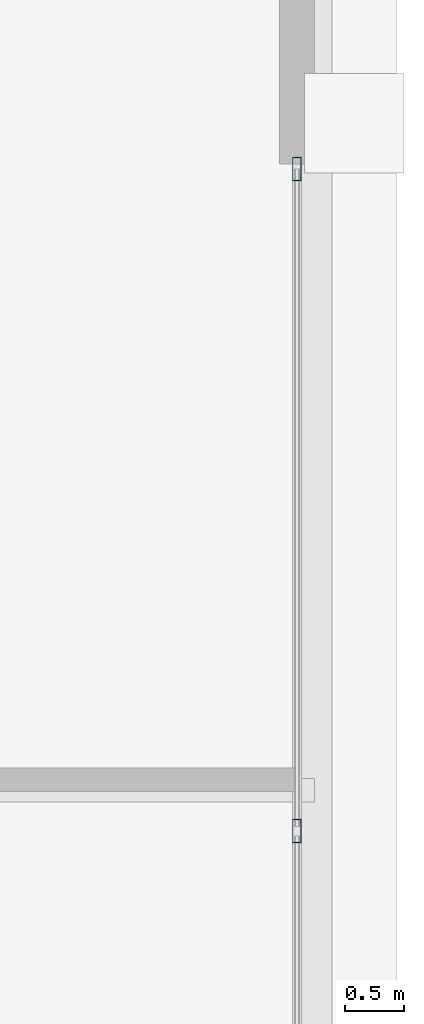
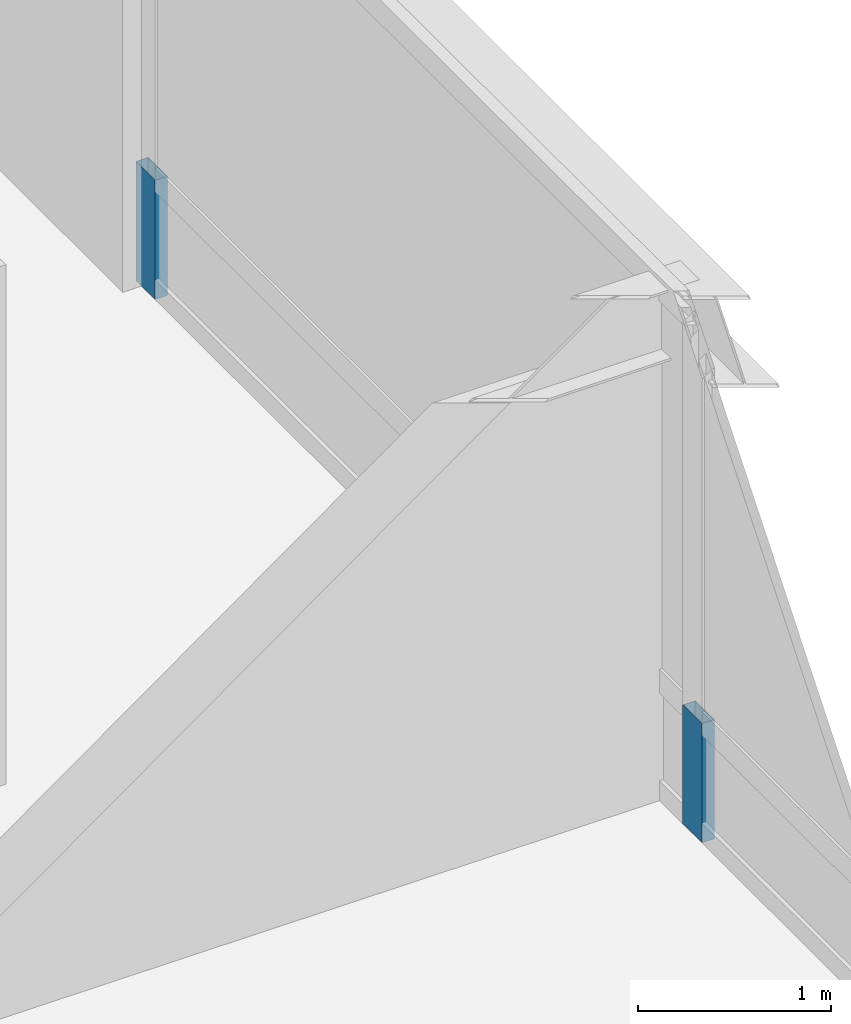
# One storey, part 26 of 34: 2 members, 1 element without a shape of its own.
"""IFC4 building model written with IfcOpenShell, lengths in metres."""

import ifcopenshell
import ifcopenshell.guid

model = None  # the IFC model being written
_history = None  # IfcOwnerHistory: only IFC2X3 demands one
_inside = {}  # id of a spatial element -> (the spatial element, [elements in it])
_under = {}  # id of a project, library or spatial element -> (it, [spatial elements below it])
_declared = {}  # id of a project -> (the project, [libraries it declares])
_typed = {}  # id of a type object -> (the type object, [elements of that type])
_made_of = {}  # id of a material, layer set ... -> (it, [elements and type objects made of it])


def new_model(schema):
    """Start an empty IFC model of exactly this schema.

    Asked for "IFC4X3", IfcOpenShell would pick the latest addendum, in which some entities
    have other attributes; the version numbers below select the first issue.
    IFC2X3 requires an IfcOwnerHistory on every rooted entity: one is made here for all.
    """
    global model, _history
    if schema == "IFC4X3":
        model = ifcopenshell.file(schema_version=(4, 3, 0, 0))
    else:
        model = ifcopenshell.file(schema=schema)
    _inside.clear()
    _under.clear()
    _declared.clear()
    _typed.clear()
    _made_of.clear()
    _history = None
    if model.schema == "IFC2X3":
        org = make("IfcOrganization", Name="unknown")
        user = make(
            "IfcPersonAndOrganization",
            ThePerson=make("IfcPerson", FamilyName="unknown"),
            TheOrganization=org,
        )
        app = make(
            "IfcApplication",
            ApplicationDeveloper=org,
            Version="unknown",
            ApplicationFullName="unknown",
            ApplicationIdentifier="unknown",
        )
        _history = make(
            "IfcOwnerHistory",
            OwningUser=user,
            OwningApplication=app,
            ChangeAction="ADDED",
            CreationDate=0,
        )
    return model


def make(cls, **values):
    """One entity of the class cls with the attributes given. An attribute that is None is left unset."""
    return model.create_entity(
        cls, **{name: value for name, value in values.items() if value is not None}
    )


def rooted(cls, **values):
    """An entity with a GlobalId (a new one), such as an element, a storey or a relation."""
    return make(cls, GlobalId=ifcopenshell.guid.new(), OwnerHistory=_history, **values)


def si_unit(unit_type, name, prefix=None):
    """IfcSIUnit, for example si_unit("LENGTHUNIT", "METRE", prefix="MILLI")."""
    return make("IfcSIUnit", UnitType=unit_type, Prefix=prefix, Name=name)


def assignment(units):
    """IfcUnitAssignment: the units of a project."""
    return None if units is None else make("IfcUnitAssignment", Units=units)


def point(xyz):
    """IfcCartesianPoint."""
    return None if xyz is None else make("IfcCartesianPoint", Coordinates=xyz)


def direction(xyz):
    """IfcDirection."""
    return None if xyz is None else make("IfcDirection", DirectionRatios=xyz)


def frame(location, z_axis=None, x_axis=None):
    """IfcAxis2Placement3D, a coordinate frame: its origin and axes. An axis left out is left unset."""
    return make(
        "IfcAxis2Placement3D",
        Location=point(location),
        Axis=direction(z_axis),
        RefDirection=direction(x_axis),
    )


def frame_2d(location, x_axis=None):
    """IfcAxis2Placement2D, a coordinate frame in the plane: its origin and x axis."""
    return make(
        "IfcAxis2Placement2D", Location=point(location), RefDirection=direction(x_axis)
    )


def origin():
    """The frame at (0, 0, 0) with its axes left unset."""
    return frame((0.0, 0.0, 0.0))


def origin_2d():
    """The frame at (0, 0) in the plane with its x axis left unset."""
    return frame_2d((0.0, 0.0))


def place(relative_to, where):
    """IfcLocalPlacement: puts the frame where relative to a parent placement (None: the world)."""
    return make(
        "IfcLocalPlacement", PlacementRelTo=relative_to, RelativePlacement=where
    )


def context(
    kind, dimensions, precision=None, world=None, true_north=None, identifier=None
):
    """IfcGeometricRepresentationContext, for example the 3D "Model" context."""
    return make(
        "IfcGeometricRepresentationContext",
        ContextIdentifier=identifier,
        ContextType=kind,
        CoordinateSpaceDimension=dimensions,
        Precision=precision,
        WorldCoordinateSystem=world,
        TrueNorth=true_north,
    )


def subcontext(parent, identifier, kind, view, scale=None):
    """IfcGeometricRepresentationSubContext, for example "Body" below "Model"."""
    return make(
        "IfcGeometricRepresentationSubContext",
        ContextIdentifier=identifier,
        ContextType=kind,
        ParentContext=parent,
        TargetScale=scale,
        TargetView=view,
    )


def project(units=None, contexts=None):
    """IfcProject with its units and contexts."""
    return rooted(
        "IfcProject",
        Name="project",
        RepresentationContexts=contexts,
        UnitsInContext=assignment(units),
    )


def spatial(cls, under=None, at=None, **own):
    """A site, building, storey or space (cls), placed at a placement, below another one or the project."""
    s = rooted(cls, ObjectPlacement=at, **own)
    if under is not None:
        _under.setdefault(under.id(), (under, []))[1].append(s)
    return s


def profile(cls, at=None, kind="AREA", **sizes):
    """A parametric profile (cls). Its sizes go by their IFC names, for example OverallWidth=200.0."""
    return make(cls, ProfileType=kind, Position=at, **sizes)


def hollow_rectangle(**sizes):
    """IfcRectangleHollowProfileDef."""
    return profile("IfcRectangleHollowProfileDef", **sizes)


def extrude(swept, where, along, depth):
    """IfcExtrudedAreaSolid: the profile swept, set in the frame where, extruded along a direction by depth."""
    return make(
        "IfcExtrudedAreaSolid",
        SweptArea=swept,
        Position=where,
        ExtrudedDirection=direction(along),
        Depth=depth,
    )


def shape(context_of_items, identifier, shape_type, items):
    """IfcShapeRepresentation: the items that make up one representation, for example the "Body"."""
    return make(
        "IfcShapeRepresentation",
        ContextOfItems=context_of_items,
        RepresentationIdentifier=identifier,
        RepresentationType=shape_type,
        Items=items,
    )


def source(mapping_origin, context_of_items, identifier, shape_type, items):
    """IfcRepresentationMap: a shape defined once, which mapped items show again and again."""
    return make(
        "IfcRepresentationMap",
        MappingOrigin=mapping_origin,
        MappedRepresentation=shape(context_of_items, identifier, shape_type, items),
    )


def transform(
    local_origin,
    x_axis=None,
    y_axis=None,
    z_axis=None,
    scale=None,
    scale2=None,
    scale3=None,
    uniform=True,
):
    """IfcCartesianTransformationOperator3D, or its non-uniform kind. x_axis, y_axis, z_axis: its Axis1, 2, 3."""
    if uniform:
        return make(
            "IfcCartesianTransformationOperator3D",
            Axis1=direction(x_axis),
            Axis2=direction(y_axis),
            LocalOrigin=point(local_origin),
            Scale=scale,
            Axis3=direction(z_axis),
        )
    return make(
        "IfcCartesianTransformationOperator3DnonUniform",
        Axis1=direction(x_axis),
        Axis2=direction(y_axis),
        LocalOrigin=point(local_origin),
        Scale=scale,
        Axis3=direction(z_axis),
        Scale2=scale2,
        Scale3=scale3,
    )


def mapped(mapping_source, mapping_target):
    """IfcMappedItem: shows the shape of a source again, moved by a transform."""
    return make(
        "IfcMappedItem", MappingSource=mapping_source, MappingTarget=mapping_target
    )


def material(Name=None, Category=None):
    """IfcMaterial."""
    return make("IfcMaterial", Name=Name, Category=Category)


def layer(
    of_material, thickness, ventilated=None, Name=None, Category=None, Priority=None
):
    """IfcMaterialLayer: one layer of a wall or slab, of a material (None: an air gap)."""
    return make(
        "IfcMaterialLayer",
        Material=of_material,
        LayerThickness=thickness,
        IsVentilated=ventilated,
        Name=Name,
        Category=Category,
        Priority=Priority,
    )


def layer_set(layers, Name=None):
    """IfcMaterialLayerSet."""
    return make("IfcMaterialLayerSet", MaterialLayers=layers, LayerSetName=Name)


def material_profile(
    of_material, cross_section, Name=None, Category=None, Priority=None
):
    """IfcMaterialProfile: a cross section and its material."""
    return make(
        "IfcMaterialProfile",
        Name=Name,
        Material=of_material,
        Profile=cross_section,
        Priority=Priority,
        Category=Category,
    )


def profile_set(profiles, Name=None, composite=None):
    """IfcMaterialProfileSet."""
    return make(
        "IfcMaterialProfileSet",
        Name=Name,
        MaterialProfiles=profiles,
        CompositeProfile=composite,
    )


def made_of(thing, what):
    """Note that an element or type object is made of a material, layer set ...; save() writes the relation."""
    if what is not None:
        _made_of.setdefault(what.id(), (what, []))[1].append(thing)
    return thing


def type_object(cls, material=None, **own):
    """A type object (cls), such as IfcWallType, which elements share."""
    return made_of(rooted(cls, **own), material)


def element(
    cls,
    number,
    at=None,
    inside=None,
    cuts=None,
    type_object=None,
    material=None,
    context=None,
    identifier="Body",
    shape_type=None,
    held_by="IfcProductDefinitionShape",
    body=None,
    shapes=None,
    **own,
):
    """One element of the class cls, such as IfcWall. Its Tag is "e" and its number.

    at: its placement. inside: the storey or other place that contains it. cuts: it is an
    opening in that element (IfcRelVoidsElement). A single representation is given by context,
    identifier, shape_type and body (its items); several are given by shapes. held_by: the class
    of the entity that holds the representations. save() writes the other relations.
    """
    e = rooted(cls, Tag="e%d" % number, ObjectPlacement=at, **own)
    if body is not None:
        shapes = [shape(context, identifier, shape_type, body)]
    if shapes is not None:
        e.Representation = make(held_by, Representations=shapes)
    if inside is not None:
        _inside.setdefault(inside.id(), (inside, []))[1].append(e)
    if cuts is not None:
        rooted(
            "IfcRelVoidsElement", RelatingBuildingElement=cuts, RelatedOpeningElement=e
        )
    if type_object is not None:
        _typed.setdefault(type_object.id(), (type_object, []))[1].append(e)
    return made_of(e, material)


def aggregate(whole, parts):
    """IfcRelAggregates: a whole, such as a stair, and the parts it consists of."""
    return rooted("IfcRelAggregates", RelatingObject=whole, RelatedObjects=parts)


def save(model, path):
    """Write the relations noted so far, then the file.

    IfcRelAggregates (storeys below a building ...), IfcRelContainedInSpatialStructure (elements
    in a storey), IfcRelDefinesByType, IfcRelAssociatesMaterial and IfcRelDeclares: one each for
    every whole, place, type object, material and project.
    """
    for whole, parts in _under.values():
        aggregate(whole, parts)
    for where, things in _inside.values():
        rooted(
            "IfcRelContainedInSpatialStructure",
            RelatedElements=things,
            RelatingStructure=where,
        )
    for kind, things in _typed.values():
        rooted("IfcRelDefinesByType", RelatedObjects=things, RelatingType=kind)
    for what, things in _made_of.values():
        rooted("IfcRelAssociatesMaterial", RelatedObjects=things, RelatingMaterial=what)
    for by, libraries in _declared.values():
        rooted("IfcRelDeclares", RelatingContext=by, RelatedDefinitions=libraries)
    model.write(path)


model = new_model("IFC4")

# Units and contexts
model_context = context("Model", 3, precision=1e-05, world=origin(), true_north=direction((0.0, 1.0)))
body_context = subcontext(model_context, "Body", "Model", "MODEL_VIEW")
ifc_project = project(units=[si_unit("LENGTHUNIT", "METRE"), si_unit("AREAUNIT", "SQUARE_METRE"), si_unit("VOLUMEUNIT", "CUBIC_METRE"), si_unit("PLANEANGLEUNIT", "RADIAN"), si_unit("MASSUNIT", "GRAM", prefix="KILO"), si_unit("THERMODYNAMICTEMPERATUREUNIT", "KELVIN"), si_unit("POWERUNIT", "WATT")], contexts=[model_context])

# Site, building, storey
site_placement = place(None, origin())
site = spatial("IfcSite", under=ifc_project, at=site_placement, CompositionType="ELEMENT")
building_placement = place(site_placement, origin())
building = spatial("IfcBuilding", under=site, at=building_placement, Name="Yuzanri Waterfront Tower", CompositionType="ELEMENT")
storey_placement = place(building_placement, frame((0.0, 0.0, 325.199951171875)))
storey = spatial("IfcBuildingStorey", under=building, at=storey_placement, Name="L87", CompositionType="ELEMENT", Elevation=325.199951171875)

# Curtain wall, members
ifc_material_1 = material(Name="Anodized Architectural Bronze", Category="metal")
ifc_layer = layer(ifc_material_1, 0.159912109375)
ifc_layer_set = layer_set([ifc_layer], Name="Anodized Architectural Bronze")
curtain_wall_type = type_object("IfcCurtainWallType", Name="Anodized Bronze High-Rise Penthouse High-Wind Unitized Curtain Wall 6900", PredefinedType="NOTDEFINED", material=ifc_layer_set)
curtain_wall_placement = place(storey_placement, origin())
curtain_wall = element("IfcCurtainWall", 1, at=curtain_wall_placement, inside=storey, type_object=curtain_wall_type, Name="L87 Curtain Wall CW-L87-ER", PredefinedType="NOTDEFINED")
ifc_material_2 = material(Name="Anodized Architectural Bronze", Category="metal")
ifc_material_profile = material_profile(ifc_material_2, hollow_rectangle(XDim=0.074951171875, YDim=0.199951171875, WallThickness=0.00390625, at=origin_2d()), Name="CWM 75x200")
ifc_profile_set = profile_set([ifc_material_profile], Name="Anodized Architectural Bronze")
member_type = type_object("IfcMemberType", Name="Anodized Bronze Primary Curtain-Wall Mullion 75x200", PredefinedType="MULLION", material=ifc_profile_set)
shared_shape = source(origin(), body_context, "Body", "SweptSolid", [
    extrude(hollow_rectangle(XDim=0.074951171875, YDim=0.199951171875, WallThickness=0.00390625, at=origin_2d()), origin(), (0.0, 0.0, 1.0), 0.751953125),
])
member_1_placement = place(storey_placement, frame((55.949951171875, 31.85009765625, 0.0), z_axis=(0.0, 0.0, 1.0), x_axis=(1.0, 0.0, 0.0)))
member_1 = element("IfcMember", 2, at=member_1_placement, type_object=member_type, Name="CW-L87-ER Lower Mullion 01", PredefinedType="MULLION", context=body_context, shape_type="MappedRepresentation", body=[
    mapped(shared_shape, transform((0.0, 0.0, 0.0), scale=1.0)),
])
member_2_placement = place(storey_placement, frame((55.949951171875, 37.510009765625, 0.0), z_axis=(0.0, 0.0, 1.0), x_axis=(1.0, 0.0, 0.0)))
member_2 = element("IfcMember", 3, at=member_2_placement, type_object=member_type, Name="CW-L87-ER Lower Mullion 02", PredefinedType="MULLION", context=body_context, shape_type="MappedRepresentation", body=[
    mapped(shared_shape, transform((0.0, 0.0, 0.0), scale=1.0)),
])
aggregate(curtain_wall, [member_1, member_2])

save(model, "model.ifc")
